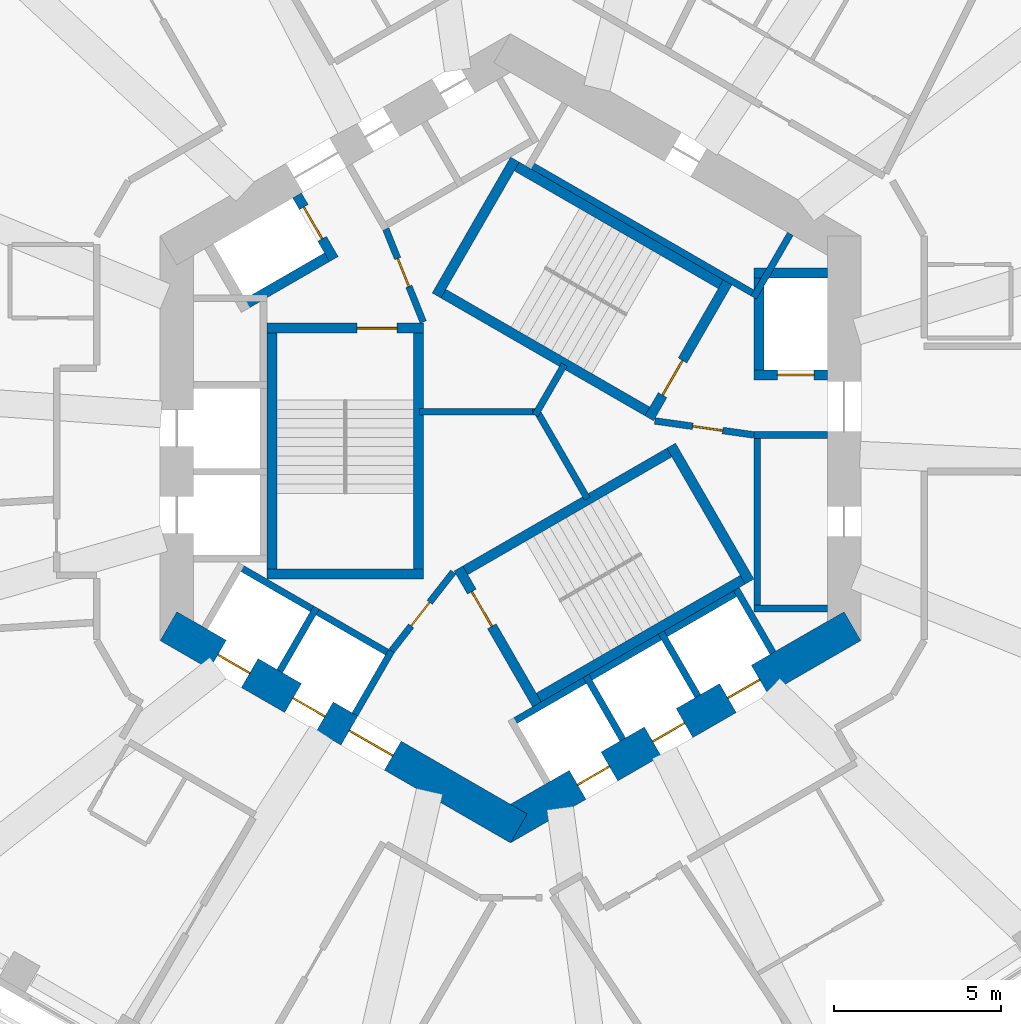
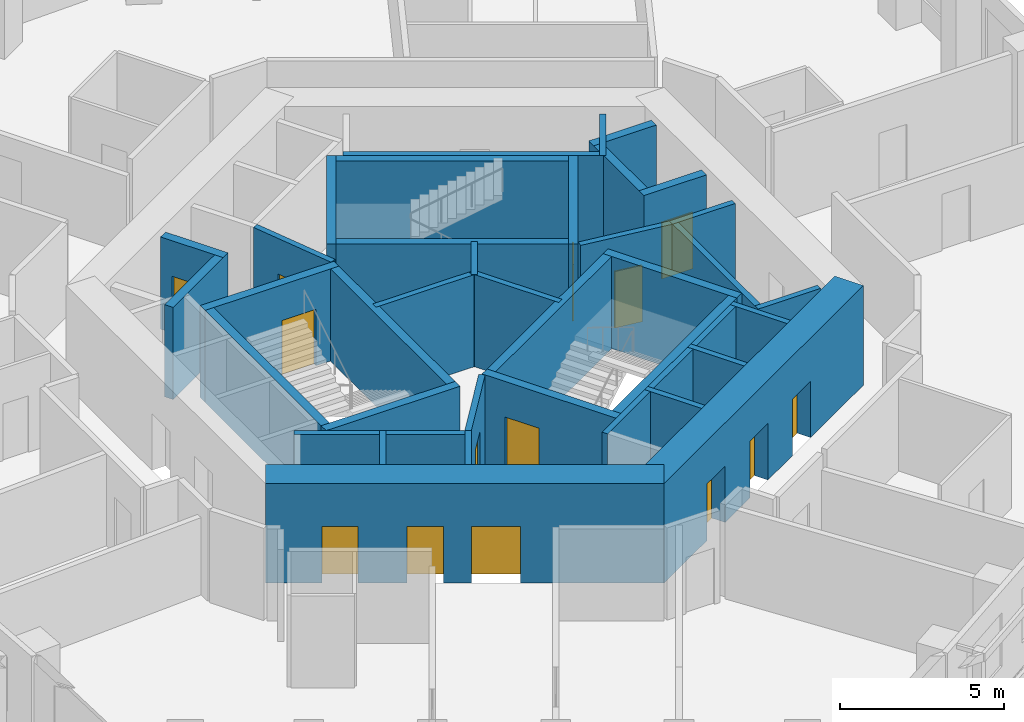
# One storey, part 5 of 11: 37 walls, 14 doors, 14 openings.
"""IFC4 building model written with IfcOpenShell, lengths in metres."""

from ifc_helpers import new_model, si_unit, direction, frame, frame_2d, origin, place, context, subcontext, project, spatial, rectangle, extrude, material, layer, layer_set, type_object, element, fill, save


model = new_model("IFC4")

# Units and contexts
model_context = context("Model", 3, precision=1e-05, world=origin(), true_north=direction((0.0, 1.0)))
body_context = subcontext(model_context, "Body", "Model", "MODEL_VIEW")
ifc_project = project(units=[si_unit("LENGTHUNIT", "METRE"), si_unit("AREAUNIT", "SQUARE_METRE"), si_unit("VOLUMEUNIT", "CUBIC_METRE"), si_unit("PLANEANGLEUNIT", "RADIAN"), si_unit("MASSUNIT", "GRAM", prefix="KILO")], contexts=[model_context])

# Site, building, storey
site_placement = place(None, origin())
site = spatial("IfcSite", under=ifc_project, at=site_placement, CompositionType="ELEMENT")
building_placement = place(site_placement, origin())
building = spatial("IfcBuilding", under=site, at=building_placement, Name="Vanh Sen Convention Tower", CompositionType="ELEMENT")
storey_placement = place(building_placement, frame((0.0, 0.0, 179.89990234375)))
storey = spatial("IfcBuildingStorey", under=building, at=storey_placement, Name="L44", CompositionType="ELEMENT", Elevation=179.89990234375)

# Wall, openings, doors
ifc_material_1 = material(Name="Concrete C80/95", Category="concrete")
ifc_layer_1 = layer(ifc_material_1, 1.0)
ifc_layer_set_1 = layer_set([ifc_layer_1], Name="Concrete C80/95")
wall_type_1 = type_object("IfcWallType", Name="Core outer wall 1000 C80/95", PredefinedType="SHEAR", material=ifc_layer_set_1)
wall_1_placement = place(storey_placement, frame((-10.25, -5.629150390625, 0.0), z_axis=(0.0, 0.0, 1.0), x_axis=(0.866022616891, -0.50000482701, 0.0)))
wall_1 = element("IfcWall", 1, at=wall_1_placement, inside=storey, type_object=wall_type_1, Name="Core wall face SW L44", PredefinedType="SHEAR", context=body_context, shape_type="SweptSolid", body=[
    extrude(rectangle(XDim=12.12451171875, YDim=1.0, at=frame_2d((6.062255859375, 0.0))), origin(), (0.0, 0.0, 1.0), 3.7001953125),
])
opening_1_placement = place(wall_1_placement, frame((6.26220703125, 0.0, 0.0)))
opening_1 = element("IfcOpeningElement", 2, at=opening_1_placement, cuts=wall_1, Name="Opening D44003", PredefinedType="OPENING", context=body_context, shape_type="SweptSolid", body=[
    extrude(rectangle(XDim=1.5, YDim=2.10009765625, at=frame_2d((0.75, 1.050048828125))), frame((0.0, 0.510009765625, 0.0), z_axis=(0.0, -1.0, 0.0), x_axis=(1.0, 0.0, 0.0)), (0.0, 0.0, 1.0), 1.02001953125),
])
opening_2_placement = place(wall_1_placement, frame((1.712158203125, 0.0, 0.0)))
opening_2 = element("IfcOpeningElement", 3, at=opening_2_placement, cuts=wall_1, Name="Opening LD-HR3", PredefinedType="OPENING", context=body_context, shape_type="SweptSolid", body=[
    extrude(rectangle(XDim=1.10009765625, YDim=2.10009765625, at=frame_2d((0.550048828125, 1.050048828125))), frame((0.0, 0.510009765625, 0.0), z_axis=(0.0, -1.0, 0.0), x_axis=(1.0, 0.0, 0.0)), (0.0, 0.0, 1.0), 1.02001953125),
])
opening_3_placement = place(wall_1_placement, frame((4.312255859375, 0.0, 0.0)))
opening_3 = element("IfcOpeningElement", 4, at=opening_3_placement, cuts=wall_1, Name="Opening LD-HR4", PredefinedType="OPENING", context=body_context, shape_type="SweptSolid", body=[
    extrude(rectangle(XDim=1.10009765625, YDim=2.10009765625, at=frame_2d((0.550048828125, 1.050048828125))), frame((0.0, 0.510009765625, 0.0), z_axis=(0.0, -1.0, 0.0), x_axis=(1.0, 0.0, 0.0)), (0.0, 0.0, 1.0), 1.02001953125),
])
ifc_material_2 = material(Name="Stainless steel", Category="steel")
door_type_1 = type_object("IfcDoorType", Name="Lift landing door 1100", OperationType="DOUBLE_DOOR_SLIDING", PredefinedType="DOOR", material=ifc_material_2)
door_1_placement = place(opening_2_placement, origin())
door_1 = element("IfcDoor", 5, at=door_1_placement, inside=storey, type_object=door_type_1, Name="Lift HR3 landing door LD-HR3", OperationType="DOUBLE_DOOR_SLIDING", OverallHeight=2.10009765625, OverallWidth=1.10009765625, PredefinedType="DOOR", context=body_context, shape_type="SweptSolid", body=[
    extrude(rectangle(XDim=1.10009765625, YDim=2.10009765625, at=frame_2d((0.550048828125, 1.050048828125))), frame((0.0, 0.02490234375, 0.0), z_axis=(0.0, -1.0, 0.0), x_axis=(1.0, 0.0, 0.0)), (0.0, 0.0, 1.0), 0.050048828125),
])
fill(opening_2, door_1)
door_2_placement = place(opening_3_placement, origin())
door_2 = element("IfcDoor", 6, at=door_2_placement, inside=storey, type_object=door_type_1, Name="Lift HR4 landing door LD-HR4", OperationType="DOUBLE_DOOR_SLIDING", OverallHeight=2.10009765625, OverallWidth=1.10009765625, PredefinedType="DOOR", context=body_context, shape_type="SweptSolid", body=[
    extrude(rectangle(XDim=1.10009765625, YDim=2.10009765625, at=frame_2d((0.550048828125, 1.050048828125))), frame((0.0, 0.02490234375, 0.0), z_axis=(0.0, -1.0, 0.0), x_axis=(1.0, 0.0, 0.0)), (0.0, 0.0, 1.0), 0.050048828125),
])
fill(opening_3, door_2)
ifc_material_3 = material(Name="Steel S355", Category="steel")
door_type_2 = type_object("IfcDoorType", Name="Stair lobby door 1500", OperationType="DOUBLE_DOOR_SINGLE_SWING", PredefinedType="DOOR", material=ifc_material_3)
door_3_placement = place(opening_1_placement, origin())
door_3 = element("IfcDoor", 7, at=door_3_placement, inside=storey, type_object=door_type_2, Name="Stair lobby door D44003", OperationType="DOUBLE_DOOR_SINGLE_SWING", OverallHeight=2.10009765625, OverallWidth=1.5, PredefinedType="DOOR", context=body_context, shape_type="SweptSolid", body=[
    extrude(rectangle(XDim=1.5, YDim=2.10009765625, at=frame_2d((0.75, 1.050048828125))), frame((0.0, 0.02490234375, 0.0), z_axis=(0.0, -1.0, 0.0), x_axis=(1.0, 0.0, 0.0)), (0.0, 0.0, 1.0), 0.050048828125),
])
fill(opening_1, door_3)

wall_2_placement = place(storey_placement, frame((-0.25, -11.69140625, 0.0), z_axis=(0.0, 0.0, 1.0), x_axis=(0.866022616891, 0.50000482701, 0.0)))
wall_2 = element("IfcWall", 8, at=wall_2_placement, inside=storey, type_object=wall_type_1, Name="Core wall face SE L44", PredefinedType="SHEAR", context=body_context, shape_type="SweptSolid", body=[
    extrude(rectangle(XDim=12.12451171875, YDim=1.0, at=frame_2d((6.062255859375, 0.0))), origin(), (0.0, 0.0, 1.0), 3.7001953125),
])
opening_4_placement = place(wall_2_placement, frame((2.6123046875, 0.0, 0.0)))
opening_4 = element("IfcOpeningElement", 9, at=opening_4_placement, cuts=wall_2, Name="Opening LD-HR5", PredefinedType="OPENING", context=body_context, shape_type="SweptSolid", body=[
    extrude(rectangle(XDim=1.10009765625, YDim=2.10009765625, at=frame_2d((0.550048828125, 1.050048828125))), frame((0.0, 0.510009765625, 0.0), z_axis=(0.0, -1.0, 0.0), x_axis=(1.0, 0.0, 0.0)), (0.0, 0.0, 1.0), 1.02001953125),
])
opening_5_placement = place(wall_2_placement, frame((5.212158203125, 0.0, 0.0)))
opening_5 = element("IfcOpeningElement", 10, at=opening_5_placement, cuts=wall_2, Name="Opening LD-HR6", PredefinedType="OPENING", context=body_context, shape_type="SweptSolid", body=[
    extrude(rectangle(XDim=1.10009765625, YDim=2.10009765625, at=frame_2d((0.550048828125, 1.050048828125))), frame((0.0, 0.510009765625, 0.0), z_axis=(0.0, -1.0, 0.0), x_axis=(1.0, 0.0, 0.0)), (0.0, 0.0, 1.0), 1.02001953125),
])
opening_6_placement = place(wall_2_placement, frame((7.812255859375, 0.0, 0.0)))
opening_6 = element("IfcOpeningElement", 11, at=opening_6_placement, cuts=wall_2, Name="Opening LD-SV1", PredefinedType="OPENING", context=body_context, shape_type="SweptSolid", body=[
    extrude(rectangle(XDim=1.10009765625, YDim=2.10009765625, at=frame_2d((0.550048828125, 1.050048828125))), frame((0.0, 0.510009765625, 0.0), z_axis=(0.0, -1.0, 0.0), x_axis=(1.0, 0.0, 0.0)), (0.0, 0.0, 1.0), 1.02001953125),
])
door_4_placement = place(opening_4_placement, origin())
door_4 = element("IfcDoor", 12, at=door_4_placement, inside=storey, type_object=door_type_1, Name="Lift HR5 landing door LD-HR5", OperationType="DOUBLE_DOOR_SLIDING", OverallHeight=2.10009765625, OverallWidth=1.10009765625, PredefinedType="DOOR", context=body_context, shape_type="SweptSolid", body=[
    extrude(rectangle(XDim=1.10009765625, YDim=2.10009765625, at=frame_2d((0.550048828125, 1.050048828125))), frame((0.0, 0.02490234375, 0.0), z_axis=(0.0, -1.0, 0.0), x_axis=(1.0, 0.0, 0.0)), (0.0, 0.0, 1.0), 0.050048828125),
])
fill(opening_4, door_4)
door_5_placement = place(opening_5_placement, origin())
door_5 = element("IfcDoor", 13, at=door_5_placement, inside=storey, type_object=door_type_1, Name="Lift HR6 landing door LD-HR6", OperationType="DOUBLE_DOOR_SLIDING", OverallHeight=2.10009765625, OverallWidth=1.10009765625, PredefinedType="DOOR", context=body_context, shape_type="SweptSolid", body=[
    extrude(rectangle(XDim=1.10009765625, YDim=2.10009765625, at=frame_2d((0.550048828125, 1.050048828125))), frame((0.0, 0.02490234375, 0.0), z_axis=(0.0, -1.0, 0.0), x_axis=(1.0, 0.0, 0.0)), (0.0, 0.0, 1.0), 0.050048828125),
])
fill(opening_5, door_5)
door_6_placement = place(opening_6_placement, origin())
door_6 = element("IfcDoor", 14, at=door_6_placement, inside=storey, type_object=door_type_1, Name="Lift SV1 landing door LD-SV1", OperationType="DOUBLE_DOOR_SLIDING", OverallHeight=2.10009765625, OverallWidth=1.10009765625, PredefinedType="DOOR", context=body_context, shape_type="SweptSolid", body=[
    extrude(rectangle(XDim=1.10009765625, YDim=2.10009765625, at=frame_2d((0.550048828125, 1.050048828125))), frame((0.0, 0.02490234375, 0.0), z_axis=(0.0, -1.0, 0.0), x_axis=(1.0, 0.0, 0.0)), (0.0, 0.0, 1.0), 0.050048828125),
])
fill(opening_6, door_6)

# Walls
ifc_material_4 = material(Name="Masonry blockwork", Category="masonry")
ifc_layer_2 = layer(ifc_material_4, 0.199951171875)
ifc_layer_set_2 = layer_set([ifc_layer_2], Name="Masonry blockwork")
wall_type_2 = type_object("IfcWallType", Name="Core partition 200", PredefinedType="PARTITIONING", material=ifc_layer_set_2)
wall_3_placement = place(storey_placement, frame((0.919921875, 0.800048828125, 0.0), z_axis=(0.0, 0.0, 1.0), x_axis=(-1.0, 0.0, 0.0)))
element("IfcWall", 15, at=wall_3_placement, inside=storey, type_object=wall_type_2, Name="Core partition L44", PredefinedType="PARTITIONING", context=body_context, shape_type="SweptSolid", body=[
    extrude(rectangle(XDim=3.639892578125, YDim=0.199951171875, at=frame_2d((1.81982421875, 0.0))), origin(), (0.0, 0.0, 1.0), 3.420166015625),
])
wall_4_placement = place(storey_placement, frame((0.739990234375, 0.696044921875, 0.0), z_axis=(0.0, 0.0, 1.0), x_axis=(0.499956301907, 0.86605063142, 0.0)))
element("IfcWall", 16, at=wall_4_placement, inside=storey, type_object=wall_type_2, Name="Core partition L44", PredefinedType="PARTITIONING", context=body_context, shape_type="SweptSolid", body=[
    extrude(rectangle(XDim=1.747314453125, YDim=0.199951171875, at=frame_2d((0.87353515625, 0.0))), origin(), (0.0, 0.0, 1.0), 3.420166015625),
])
wall_5_placement = place(storey_placement, frame((0.739990234375, 0.90380859375, 0.0), z_axis=(0.0, 0.0, 1.0), x_axis=(0.500028278809, -0.866009076391, 0.0)))
element("IfcWall", 17, at=wall_5_placement, inside=storey, type_object=wall_type_2, Name="Core partition L44", PredefinedType="PARTITIONING", context=body_context, shape_type="SweptSolid", body=[
    extrude(rectangle(XDim=3.132568359375, YDim=0.199951171875, at=frame_2d((1.56640625, 0.0))), origin(), (0.0, 0.0, 1.0), 3.420166015625),
])

# Wall, opening, door
ifc_material_5 = material(Name="Concrete C60/75", Category="concrete")
ifc_layer_3 = layer(ifc_material_5, 0.300048828125)
ifc_layer_set_3 = layer_set([ifc_layer_3], Name="Concrete C60/75")
wall_type_3 = type_object("IfcWallType", Name="Fire-fighting lift shaft wall 300", PredefinedType="SHEAR", material=ifc_layer_set_3)
wall_6_placement = place(storey_placement, frame((7.300048828125, 1.89990234375, 0.0), z_axis=(0.0, 0.0, 1.0), x_axis=(1.0, 0.0, 0.0)))
wall_6 = element("IfcWall", 18, at=wall_6_placement, inside=storey, type_object=wall_type_3, Name="Fire-fighting lift shaft wall L44", PredefinedType="SHEAR", context=body_context, shape_type="SweptSolid", body=[
    extrude(rectangle(XDim=2.199951171875, YDim=0.300048828125, at=frame_2d((1.10009765625, 0.0))), origin(), (0.0, 0.0, 1.0), 3.420166015625),
])
opening_7_placement = place(wall_6_placement, frame((0.699951171875, 0.0, 0.0)))
opening_7 = element("IfcOpeningElement", 19, at=opening_7_placement, cuts=wall_6, Name="Opening LD-FF1", PredefinedType="OPENING", context=body_context, shape_type="SweptSolid", body=[
    extrude(rectangle(XDim=1.10009765625, YDim=2.10009765625, at=frame_2d((0.550048828125, 1.050048828125))), frame((0.0, 0.159912109375, 0.0), z_axis=(0.0, -1.0, 0.0), x_axis=(1.0, 0.0, 0.0)), (0.0, 0.0, 1.0), 0.320068359375),
])
door_type_3 = type_object("IfcDoorType", Name="Fire-fighting lift landing door 1100", OperationType="DOUBLE_DOOR_SLIDING", PredefinedType="DOOR", material=ifc_material_2)
door_7_placement = place(opening_7_placement, origin())
door_7 = element("IfcDoor", 20, at=door_7_placement, inside=storey, type_object=door_type_3, Name="Lift FF1 landing door LD-FF1", OperationType="DOUBLE_DOOR_SLIDING", OverallHeight=2.10009765625, OverallWidth=1.10009765625, PredefinedType="DOOR", context=body_context, shape_type="SweptSolid", body=[
    extrude(rectangle(XDim=1.10009765625, YDim=2.10009765625, at=frame_2d((0.550048828125, 1.050048828125))), frame((0.0, 0.02490234375, 0.0), z_axis=(0.0, -1.0, 0.0), x_axis=(1.0, 0.0, 0.0)), (0.0, 0.0, 1.0), 0.050048828125),
])
fill(opening_7, door_7)

# Walls
wall_7_placement = place(storey_placement, frame((7.449951171875, 1.75, 0.0), z_axis=(0.0, 0.0, 1.0), x_axis=(0.0, 1.0, 0.0)))
element("IfcWall", 21, at=wall_7_placement, inside=storey, type_object=wall_type_3, Name="Fire-fighting lift shaft wall L44", PredefinedType="SHEAR", context=body_context, shape_type="SweptSolid", body=[
    extrude(rectangle(XDim=3.35009765625, YDim=0.300048828125, at=frame_2d((1.675048828125, 0.0))), origin(), (0.0, 0.0, 1.0), 3.420166015625),
])
wall_8_placement = place(storey_placement, frame((7.300048828125, 4.949951171875, 0.0), z_axis=(0.0, 0.0, 1.0), x_axis=(1.0, 0.0, 0.0)))
element("IfcWall", 22, at=wall_8_placement, inside=storey, type_object=wall_type_3, Name="Fire-fighting lift shaft wall L44", PredefinedType="SHEAR", context=body_context, shape_type="SweptSolid", body=[
    extrude(rectangle(XDim=2.199951171875, YDim=0.300048828125, at=frame_2d((1.10009765625, 0.0))), origin(), (0.0, 0.0, 1.0), 3.420166015625),
])

# Wall, opening, door
wall_9_placement = place(storey_placement, frame((-5.29541015625, 5.3720703125, 0.0), z_axis=(0.0, 0.0, 1.0), x_axis=(-0.500077893725, 0.86598042715, 0.0)))
wall_9 = element("IfcWall", 23, at=wall_9_placement, inside=storey, type_object=wall_type_3, Name="Fire-fighting lift shaft wall L44", PredefinedType="SHEAR", context=body_context, shape_type="SweptSolid", body=[
    extrude(rectangle(XDim=2.199951171875, YDim=0.300048828125, at=frame_2d((1.10009765625, 0.0))), origin(), (0.0, 0.0, 1.0), 3.420166015625),
])
opening_8_placement = place(wall_9_placement, frame((0.699951171875, 0.0, 0.0)))
opening_8 = element("IfcOpeningElement", 24, at=opening_8_placement, cuts=wall_9, Name="Opening LD-FF2", PredefinedType="OPENING", context=body_context, shape_type="SweptSolid", body=[
    extrude(rectangle(XDim=1.10009765625, YDim=2.10009765625, at=frame_2d((0.550048828125, 1.050048828125))), frame((0.0, 0.159912109375, 0.0), z_axis=(0.0, -1.0, 0.0), x_axis=(1.0, 0.0, 0.0)), (0.0, 0.0, 1.0), 0.320068359375),
])
door_8_placement = place(opening_8_placement, origin())
door_8 = element("IfcDoor", 25, at=door_8_placement, inside=storey, type_object=door_type_3, Name="Lift FF2 landing door LD-FF2", OperationType="DOUBLE_DOOR_SLIDING", OverallHeight=2.10009765625, OverallWidth=1.10009765625, PredefinedType="DOOR", context=body_context, shape_type="SweptSolid", body=[
    extrude(rectangle(XDim=1.10009765625, YDim=2.10009765625, at=frame_2d((0.550048828125, 1.050048828125))), frame((0.0, 0.02490234375, 0.0), z_axis=(0.0, -1.0, 0.0), x_axis=(1.0, 0.0, 0.0)), (0.0, 0.0, 1.0), 0.050048828125),
])
fill(opening_8, door_8)

# Walls
wall_10_placement = place(storey_placement, frame((-5.240478515625, 5.576904296875, 0.0), z_axis=(0.0, 0.0, 1.0), x_axis=(-0.866014461049, -0.500018952895, 0.0)))
element("IfcWall", 26, at=wall_10_placement, inside=storey, type_object=wall_type_3, Name="Fire-fighting lift shaft wall L44", PredefinedType="SHEAR", context=body_context, shape_type="SweptSolid", body=[
    extrude(rectangle(XDim=3.349853515625, YDim=0.300048828125, at=frame_2d((1.6748046875, 0.0))), origin(), (0.0, 0.0, 1.0), 3.420166015625),
])
ifc_material_6 = material(Name="Concrete C40/50", Category="concrete")
ifc_layer_4 = layer(ifc_material_6, 0.199951171875)
ifc_layer_set_4 = layer_set([ifc_layer_4], Name="Concrete C40/50")
wall_type_4 = type_object("IfcWallType", Name="Lift shaft wall 200", PredefinedType="PARTITIONING", material=ifc_layer_set_4)
wall_11_placement = place(storey_placement, frame((7.39990234375, -5.199951171875, 0.0), z_axis=(0.0, 0.0, 1.0), x_axis=(0.0, 1.0, 0.0)))
element("IfcWall", 27, at=wall_11_placement, inside=storey, type_object=wall_type_4, Name="Lift shaft wall L44", PredefinedType="PARTITIONING", context=body_context, shape_type="SweptSolid", body=[
    extrude(rectangle(XDim=5.39990234375, YDim=0.199951171875, at=frame_2d((2.699951171875, 0.0))), origin(), (0.0, 0.0, 1.0), 3.420166015625),
])
for number, where, z_axis, x_axis, name in (
    (28, (7.300048828125, -5.10009765625, 0.0), (0.0, 0.0, 1.0), (1.0, 0.0, 0.0), "Lift shaft wall L44"),
    (29, (7.300048828125, 0.10009765625, 0.0), (0.0, 0.0, 1.0), (1.0, 0.0, 0.0), "Lift shaft wall L44"),
):
    element("IfcWall", number, at=place(storey_placement, frame(where, z_axis=z_axis, x_axis=x_axis)), inside=storey, type_object=wall_type_4, Name=name, PredefinedType="PARTITIONING", context=body_context, shape_type="SweptSolid", body=[
        extrude(rectangle(XDim=2.199951171875, YDim=0.199951171875, at=frame_2d((1.10009765625, 0.0))), origin(), (0.0, 0.0, 1.0), 3.420166015625),
    ])
wall_12_placement = place(storey_placement, frame((7.423828125, 4.258544921875, 0.0), z_axis=(0.0, 0.0, 1.0), x_axis=(-0.866026010844, 0.49999894854, 0.0)))
element("IfcWall", 30, at=wall_12_placement, inside=storey, type_object=wall_type_4, Name="Lift shaft wall L44", PredefinedType="PARTITIONING", context=body_context, shape_type="SweptSolid", body=[
    extrude(rectangle(XDim=8.0, YDim=0.199951171875, at=frame_2d((4.0, 0.0))), origin(), (0.0, 0.0, 1.0), 3.420166015625),
])
wall_13_placement = place(storey_placement, frame((7.287353515625, 4.221923828125, 0.0), z_axis=(0.0, 0.0, 1.0), x_axis=(0.499946605688, 0.86605622881, 0.0)))
element("IfcWall", 31, at=wall_13_placement, inside=storey, type_object=wall_type_4, Name="Lift shaft wall L44", PredefinedType="PARTITIONING", context=body_context, shape_type="SweptSolid", body=[
    extrude(rectangle(XDim=2.199951171875, YDim=0.199951171875, at=frame_2d((1.10009765625, 0.0))), origin(), (0.0, 0.0, 1.0), 3.420166015625),
])
wall_14_placement = place(storey_placement, frame((-8.203369140625, -3.80859375, 0.0), z_axis=(0.0, 0.0, 1.0), x_axis=(0.866028230842, -0.499995103361, 0.0)))
element("IfcWall", 32, at=wall_14_placement, inside=storey, type_object=wall_type_4, Name="Lift shaft wall L44", PredefinedType="PARTITIONING", context=body_context, shape_type="SweptSolid", body=[
    extrude(rectangle(XDim=5.39990234375, YDim=0.199951171875, at=frame_2d((2.699951171875, 0.0))), origin(), (0.0, 0.0, 1.0), 3.420166015625),
])
wall_15_placement = place(storey_placement, frame((-5.815185546875, -5.072021484375, 0.0), z_axis=(0.0, 0.0, 1.0), x_axis=(-0.499946605688, -0.86605622881, 0.0)))
element("IfcWall", 33, at=wall_15_placement, inside=storey, type_object=wall_type_4, Name="Lift shaft wall L44", PredefinedType="PARTITIONING", context=body_context, shape_type="SweptSolid", body=[
    extrude(rectangle(XDim=2.199951171875, YDim=0.199951171875, at=frame_2d((1.10009765625, 0.0))), origin(), (0.0, 0.0, 1.0), 3.420166015625),
])
wall_16_placement = place(storey_placement, frame((-3.5634765625, -6.3720703125, 0.0), z_axis=(0.0, 0.0, 1.0), x_axis=(-0.499994660107, -0.866028486751, 0.0)))
element("IfcWall", 34, at=wall_16_placement, inside=storey, type_object=wall_type_4, Name="Lift shaft wall L44", PredefinedType="PARTITIONING", context=body_context, shape_type="SweptSolid", body=[
    extrude(rectangle(XDim=2.19970703125, YDim=0.199951171875, at=frame_2d((1.099853515625, 0.0))), origin(), (0.0, 0.0, 1.0), 3.420166015625),
])
wall_17_placement = place(storey_placement, frame((-0.02392578125, -8.55859375, 0.0), z_axis=(0.0, 0.0, 1.0), x_axis=(0.866026010844, 0.49999894854, 0.0)))
element("IfcWall", 35, at=wall_17_placement, inside=storey, type_object=wall_type_4, Name="Lift shaft wall L44", PredefinedType="PARTITIONING", context=body_context, shape_type="SweptSolid", body=[
    extrude(rectangle(XDim=8.0, YDim=0.199951171875, at=frame_2d((4.0, 0.0))), origin(), (0.0, 0.0, 1.0), 3.420166015625),
])
for number, where, z_axis, x_axis, name in (
    (36, (2.264404296875, -7.1220703125, 0.0), (0.0, 0.0, 1.0), (0.500077893725, -0.86598042715, 0.0), "Lift shaft wall L44"),
    (37, (4.51611328125, -5.822021484375, 0.0), (0.0, 0.0, 1.0), (0.499946605688, -0.86605622881, 0.0), "Lift shaft wall L44"),
    (38, (6.767578125, -4.52197265625, 0.0), (0.0, 0.0, 1.0), (0.50002983664, -0.866008176907, 0.0), "Lift shaft wall L44"),
):
    element("IfcWall", number, at=place(storey_placement, frame(where, z_axis=z_axis, x_axis=x_axis)), inside=storey, type_object=wall_type_4, Name=name, PredefinedType="PARTITIONING", context=body_context, shape_type="SweptSolid", body=[
        extrude(rectangle(XDim=2.199951171875, YDim=0.199951171875, at=frame_2d((1.10009765625, 0.0))), origin(), (0.0, 0.0, 1.0), 3.420166015625),
    ])

# Wall, opening, door
ifc_layer_5 = layer(ifc_material_6, 0.199951171875)
ifc_layer_set_5 = layer_set([ifc_layer_5], Name="Concrete C40/50")
wall_type_5 = type_object("IfcWallType", Name="Stair lobby wall 200", PredefinedType="PARTITIONING", material=ifc_layer_set_5)
wall_18_placement = place(storey_placement, frame((4.327392578125, 0.52099609375, 0.0), z_axis=(0.0, 0.0, 1.0), x_axis=(0.990124376366, -0.14019172346, 0.0)))
wall_18 = element("IfcWall", 39, at=wall_18_placement, inside=storey, type_object=wall_type_5, Name="Stair lobby wall L44", PredefinedType="PARTITIONING", context=body_context, shape_type="SweptSolid", body=[
    extrude(rectangle(XDim=3.002197265625, YDim=0.199951171875, at=frame_2d((1.5009765625, 0.0))), origin(), (0.0, 0.0, 1.0), 3.420166015625),
])
opening_9_placement = place(wall_18_placement, frame((1.14990234375, 0.0, 0.0)))
opening_9 = element("IfcOpeningElement", 40, at=opening_9_placement, cuts=wall_18, Name="Opening D44007", PredefinedType="OPENING", context=body_context, shape_type="SweptSolid", body=[
    extrude(rectangle(XDim=0.89990234375, YDim=2.10009765625, at=frame_2d((0.449951171875, 1.050048828125))), frame((0.0, 0.10986328125, 0.0), z_axis=(0.0, -1.0, 0.0), x_axis=(1.0, 0.0, 0.0)), (0.0, 0.0, 1.0), 0.219970703125),
])
door_type_4 = type_object("IfcDoorType", Name="Plant door 900", OperationType="SINGLE_SWING_LEFT", PredefinedType="DOOR", material=ifc_material_3)
door_9_placement = place(opening_9_placement, origin())
door_9 = element("IfcDoor", 41, at=door_9_placement, inside=storey, type_object=door_type_4, Name="Plant door D44007", OperationType="SINGLE_SWING_LEFT", OverallHeight=2.10009765625, OverallWidth=0.89990234375, PredefinedType="DOOR", context=body_context, shape_type="SweptSolid", body=[
    extrude(rectangle(XDim=0.89990234375, YDim=2.10009765625, at=frame_2d((0.449951171875, 1.050048828125))), frame((0.0, 0.02490234375, 0.0), z_axis=(0.0, -1.0, 0.0), x_axis=(1.0, 0.0, 0.0)), (0.0, 0.0, 1.0), 0.050048828125),
])
fill(opening_9, door_9)

wall_19_placement = place(storey_placement, frame((-2.614990234375, 3.487060546875, 0.0), z_axis=(0.0, 0.0, 1.0), x_axis=(-0.373576831041, 0.92759924068, 0.0)))
wall_19 = element("IfcWall", 42, at=wall_19_placement, inside=storey, type_object=wall_type_5, Name="Stair lobby wall L44", PredefinedType="PARTITIONING", context=body_context, shape_type="SweptSolid", body=[
    extrude(rectangle(XDim=3.002197265625, YDim=0.199951171875, at=frame_2d((1.5009765625, 0.0))), origin(), (0.0, 0.0, 1.0), 3.420166015625),
])
opening_10_placement = place(wall_19_placement, frame((1.14990234375, 0.0, 0.0)))
opening_10 = element("IfcOpeningElement", 43, at=opening_10_placement, cuts=wall_19, Name="Opening D44008", PredefinedType="OPENING", context=body_context, shape_type="SweptSolid", body=[
    extrude(rectangle(XDim=0.89990234375, YDim=2.10009765625, at=frame_2d((0.449951171875, 1.050048828125))), frame((0.0, 0.10986328125, 0.0), z_axis=(0.0, -1.0, 0.0), x_axis=(1.0, 0.0, 0.0)), (0.0, 0.0, 1.0), 0.219970703125),
])
door_10_placement = place(opening_10_placement, origin())
door_10 = element("IfcDoor", 44, at=door_10_placement, inside=storey, type_object=door_type_4, Name="Plant door D44008", OperationType="SINGLE_SWING_LEFT", OverallHeight=2.10009765625, OverallWidth=0.89990234375, PredefinedType="DOOR", context=body_context, shape_type="SweptSolid", body=[
    extrude(rectangle(XDim=0.89990234375, YDim=2.10009765625, at=frame_2d((0.449951171875, 1.050048828125))), frame((0.0, 0.02490234375, 0.0), z_axis=(0.0, -1.0, 0.0), x_axis=(1.0, 0.0, 0.0)), (0.0, 0.0, 1.0), 0.050048828125),
])
fill(opening_10, door_10)

wall_20_placement = place(storey_placement, frame((-1.71240234375, -4.00830078125, 0.0), z_axis=(0.0, 0.0, 1.0), x_axis=(-0.616549420702, -0.787316208287, 0.0)))
wall_20 = element("IfcWall", 45, at=wall_20_placement, inside=storey, type_object=wall_type_5, Name="Stair lobby wall L44", PredefinedType="PARTITIONING", context=body_context, shape_type="SweptSolid", body=[
    extrude(rectangle(XDim=3.002197265625, YDim=0.199951171875, at=frame_2d((1.5009765625, 0.0))), origin(), (0.0, 0.0, 1.0), 3.420166015625),
])
opening_11_placement = place(wall_20_placement, frame((1.14990234375, 0.0, 0.0)))
opening_11 = element("IfcOpeningElement", 46, at=opening_11_placement, cuts=wall_20, Name="Opening D44009", PredefinedType="OPENING", context=body_context, shape_type="SweptSolid", body=[
    extrude(rectangle(XDim=0.89990234375, YDim=2.10009765625, at=frame_2d((0.449951171875, 1.050048828125))), frame((0.0, 0.10986328125, 0.0), z_axis=(0.0, -1.0, 0.0), x_axis=(1.0, 0.0, 0.0)), (0.0, 0.0, 1.0), 0.219970703125),
])
door_11_placement = place(opening_11_placement, origin())
door_11 = element("IfcDoor", 47, at=door_11_placement, inside=storey, type_object=door_type_4, Name="Plant door D44009", OperationType="SINGLE_SWING_LEFT", OverallHeight=2.10009765625, OverallWidth=0.89990234375, PredefinedType="DOOR", context=body_context, shape_type="SweptSolid", body=[
    extrude(rectangle(XDim=0.89990234375, YDim=2.10009765625, at=frame_2d((0.449951171875, 1.050048828125))), frame((0.0, 0.02490234375, 0.0), z_axis=(0.0, -1.0, 0.0), x_axis=(1.0, 0.0, 0.0)), (0.0, 0.0, 1.0), 0.050048828125),
])
fill(opening_11, door_11)

ifc_layer_6 = layer(ifc_material_5, 0.300048828125)
ifc_layer_set_6 = layer_set([ifc_layer_6], Name="Concrete C60/75")
wall_type_6 = type_object("IfcWallType", Name="Stair wall 300", PredefinedType="SHEAR", material=ifc_layer_set_6)
wall_21_placement = place(storey_placement, frame((4.157958984375, 0.601806640625, 0.0), z_axis=(0.0, 0.0, 1.0), x_axis=(0.499977259774, 0.866038532462, 0.0)))
wall_21 = element("IfcWall", 48, at=wall_21_placement, inside=storey, type_object=wall_type_6, Name="Stair wall L44", PredefinedType="SHEAR", context=body_context, shape_type="SweptSolid", body=[
    extrude(rectangle(XDim=4.699951171875, YDim=0.300048828125, at=frame_2d((2.35009765625, 0.0))), origin(), (0.0, 0.0, 1.0), 3.420166015625),
])
opening_12_placement = place(wall_21_placement, frame((0.800048828125, 0.0, 0.0)))
opening_12 = element("IfcOpeningElement", 49, at=opening_12_placement, cuts=wall_21, Name="Opening D44004", PredefinedType="OPENING", context=body_context, shape_type="SweptSolid", body=[
    extrude(rectangle(XDim=1.199951171875, YDim=2.10009765625, at=frame_2d((0.60009765625, 1.050048828125))), frame((0.0, 0.159912109375, 0.0), z_axis=(0.0, -1.0, 0.0), x_axis=(1.0, 0.0, 0.0)), (0.0, 0.0, 1.0), 0.320068359375),
])
door_type_5 = type_object("IfcDoorType", Name="Stair door 1200", OperationType="SINGLE_SWING_RIGHT", PredefinedType="DOOR", material=ifc_material_3)
door_12_placement = place(opening_12_placement, origin())
door_12 = element("IfcDoor", 50, at=door_12_placement, inside=storey, type_object=door_type_5, Name="Stair ST1 door D44004", OperationType="SINGLE_SWING_RIGHT", OverallHeight=2.10009765625, OverallWidth=1.199951171875, PredefinedType="DOOR", context=body_context, shape_type="SweptSolid", body=[
    extrude(rectangle(XDim=1.199951171875, YDim=2.10009765625, at=frame_2d((0.60009765625, 1.050048828125))), frame((0.0, 0.02490234375, 0.0), z_axis=(0.0, -1.0, 0.0), x_axis=(1.0, 0.0, 0.0)), (0.0, 0.0, 1.0), 0.050048828125),
])
fill(opening_12, door_12)

# Walls
wall_22_placement = place(storey_placement, frame((-2.216064453125, 4.28173828125, 0.0), z_axis=(0.0, 0.0, 1.0), x_axis=(0.499977259774, 0.866038532462, 0.0)))
element("IfcWall", 51, at=wall_22_placement, inside=storey, type_object=wall_type_6, Name="Stair wall L44", PredefinedType="SHEAR", context=body_context, shape_type="SweptSolid", body=[
    extrude(rectangle(XDim=4.699951171875, YDim=0.300048828125, at=frame_2d((2.35009765625, 0.0))), origin(), (0.0, 0.0, 1.0), 3.420166015625),
])
for number, where, z_axis, x_axis, name in (
    (52, (4.10302734375, 0.806640625, 0.0), (0.0, 0.0, 1.0), (-0.866027801685, 0.499995846692, 0.0), "Stair wall L44"),
    (53, (6.302978515625, 4.6171875, 0.0), (0.0, 0.0, 1.0), (-0.866027801685, 0.499995846692, 0.0), "Stair wall L44"),
):
    element("IfcWall", number, at=place(storey_placement, frame(where, z_axis=z_axis, x_axis=x_axis)), inside=storey, type_object=wall_type_6, Name=name, PredefinedType="SHEAR", context=body_context, shape_type="SweptSolid", body=[
        extrude(rectangle(XDim=7.06005859375, YDim=0.300048828125, at=frame_2d((3.530029296875, 0.0))), origin(), (0.0, 0.0, 1.0), 3.420166015625),
    ])

# Wall, opening, door
wall_23_placement = place(storey_placement, frame((-2.60009765625, 3.300048828125, 0.0), z_axis=(0.0, 0.0, 1.0), x_axis=(-1.0, 0.0, 0.0)))
wall_23 = element("IfcWall", 54, at=wall_23_placement, inside=storey, type_object=wall_type_6, Name="Stair wall L44", PredefinedType="SHEAR", context=body_context, shape_type="SweptSolid", body=[
    extrude(rectangle(XDim=4.699951171875, YDim=0.300048828125, at=frame_2d((2.35009765625, 0.0))), origin(), (0.0, 0.0, 1.0), 3.420166015625),
])
opening_13_placement = place(wall_23_placement, frame((0.800048828125, 0.0, 0.0)))
opening_13 = element("IfcOpeningElement", 55, at=opening_13_placement, cuts=wall_23, Name="Opening D44005", PredefinedType="OPENING", context=body_context, shape_type="SweptSolid", body=[
    extrude(rectangle(XDim=1.199951171875, YDim=2.10009765625, at=frame_2d((0.60009765625, 1.050048828125))), frame((0.0, 0.159912109375, 0.0), z_axis=(0.0, -1.0, 0.0), x_axis=(1.0, 0.0, 0.0)), (0.0, 0.0, 1.0), 0.320068359375),
])
door_13_placement = place(opening_13_placement, origin())
door_13 = element("IfcDoor", 56, at=door_13_placement, inside=storey, type_object=door_type_5, Name="Stair ST2 door D44005", OperationType="SINGLE_SWING_RIGHT", OverallHeight=2.10009765625, OverallWidth=1.199951171875, PredefinedType="DOOR", context=body_context, shape_type="SweptSolid", body=[
    extrude(rectangle(XDim=1.199951171875, YDim=2.10009765625, at=frame_2d((0.60009765625, 1.050048828125))), frame((0.0, 0.02490234375, 0.0), z_axis=(0.0, -1.0, 0.0), x_axis=(1.0, 0.0, 0.0)), (0.0, 0.0, 1.0), 0.050048828125),
])
fill(opening_13, door_13)

# Walls
wall_24_placement = place(storey_placement, frame((-2.60009765625, -4.06005859375, 0.0), z_axis=(0.0, 0.0, 1.0), x_axis=(-1.0, 0.0, 0.0)))
element("IfcWall", 57, at=wall_24_placement, inside=storey, type_object=wall_type_6, Name="Stair wall L44", PredefinedType="SHEAR", context=body_context, shape_type="SweptSolid", body=[
    extrude(rectangle(XDim=4.699951171875, YDim=0.300048828125, at=frame_2d((2.35009765625, 0.0))), origin(), (0.0, 0.0, 1.0), 3.420166015625),
])
for number, where, z_axis, x_axis, name in (
    (58, (-2.75, 3.14990234375, 0.0), (0.0, 0.0, 1.0), (0.0, -1.0, 0.0), "Stair wall L44"),
    (59, (-7.14990234375, 3.14990234375, 0.0), (0.0, 0.0, 1.0), (0.0, -1.0, 0.0), "Stair wall L44"),
):
    element("IfcWall", number, at=place(storey_placement, frame(where, z_axis=z_axis, x_axis=x_axis)), inside=storey, type_object=wall_type_6, Name=name, PredefinedType="SHEAR", context=body_context, shape_type="SweptSolid", body=[
        extrude(rectangle(XDim=7.059814453125, YDim=0.300048828125, at=frame_2d((3.52978515625, 0.0))), origin(), (0.0, 0.0, 1.0), 3.420166015625),
    ])

# Wall, opening, door
wall_25_placement = place(storey_placement, frame((-1.557861328125, -3.901611328125, 0.0), z_axis=(0.0, 0.0, 1.0), x_axis=(0.499977259774, -0.866038532462, 0.0)))
wall_25 = element("IfcWall", 60, at=wall_25_placement, inside=storey, type_object=wall_type_6, Name="Stair wall L44", PredefinedType="SHEAR", context=body_context, shape_type="SweptSolid", body=[
    extrude(rectangle(XDim=4.699951171875, YDim=0.300048828125, at=frame_2d((2.35009765625, 0.0))), origin(), (0.0, 0.0, 1.0), 3.420166015625),
])
opening_14_placement = place(wall_25_placement, frame((0.800048828125, 0.0, 0.0)))
opening_14 = element("IfcOpeningElement", 61, at=opening_14_placement, cuts=wall_25, Name="Opening D44006", PredefinedType="OPENING", context=body_context, shape_type="SweptSolid", body=[
    extrude(rectangle(XDim=1.199951171875, YDim=2.10009765625, at=frame_2d((0.60009765625, 1.050048828125))), frame((0.0, 0.159912109375, 0.0), z_axis=(0.0, -1.0, 0.0), x_axis=(1.0, 0.0, 0.0)), (0.0, 0.0, 1.0), 0.320068359375),
])
door_14_placement = place(opening_14_placement, origin())
door_14 = element("IfcDoor", 62, at=door_14_placement, inside=storey, type_object=door_type_5, Name="Stair ST3 door D44006", OperationType="SINGLE_SWING_RIGHT", OverallHeight=2.10009765625, OverallWidth=1.199951171875, PredefinedType="DOOR", context=body_context, shape_type="SweptSolid", body=[
    extrude(rectangle(XDim=1.199951171875, YDim=2.10009765625, at=frame_2d((0.60009765625, 1.050048828125))), frame((0.0, 0.02490234375, 0.0), z_axis=(0.0, -1.0, 0.0), x_axis=(1.0, 0.0, 0.0)), (0.0, 0.0, 1.0), 0.050048828125),
])
fill(opening_14, door_14)

# Walls
wall_26_placement = place(storey_placement, frame((4.816162109375, -0.2216796875, 0.0), z_axis=(0.0, 0.0, 1.0), x_axis=(0.499977259774, -0.866038532462, 0.0)))
element("IfcWall", 63, at=wall_26_placement, inside=storey, type_object=wall_type_6, Name="Stair wall L44", PredefinedType="SHEAR", context=body_context, shape_type="SweptSolid", body=[
    extrude(rectangle(XDim=4.699951171875, YDim=0.300048828125, at=frame_2d((2.35009765625, 0.0))), origin(), (0.0, 0.0, 1.0), 3.420166015625),
])
for number, where, z_axis, x_axis, name in (
    (64, (-1.35302734375, -3.95654296875, 0.0), (0.0, 0.0, 1.0), (0.866027801685, 0.499995846692, 0.0), "Stair wall L44"),
    (65, (0.846923828125, -7.76708984375, 0.0), (0.0, 0.0, 1.0), (0.866027801685, 0.499995846692, 0.0), "Stair wall L44"),
):
    element("IfcWall", number, at=place(storey_placement, frame(where, z_axis=z_axis, x_axis=x_axis)), inside=storey, type_object=wall_type_6, Name=name, PredefinedType="SHEAR", context=body_context, shape_type="SweptSolid", body=[
        extrude(rectangle(XDim=7.06005859375, YDim=0.300048828125, at=frame_2d((3.530029296875, 0.0))), origin(), (0.0, 0.0, 1.0), 3.420166015625),
    ])

save(model, "model.ifc")
